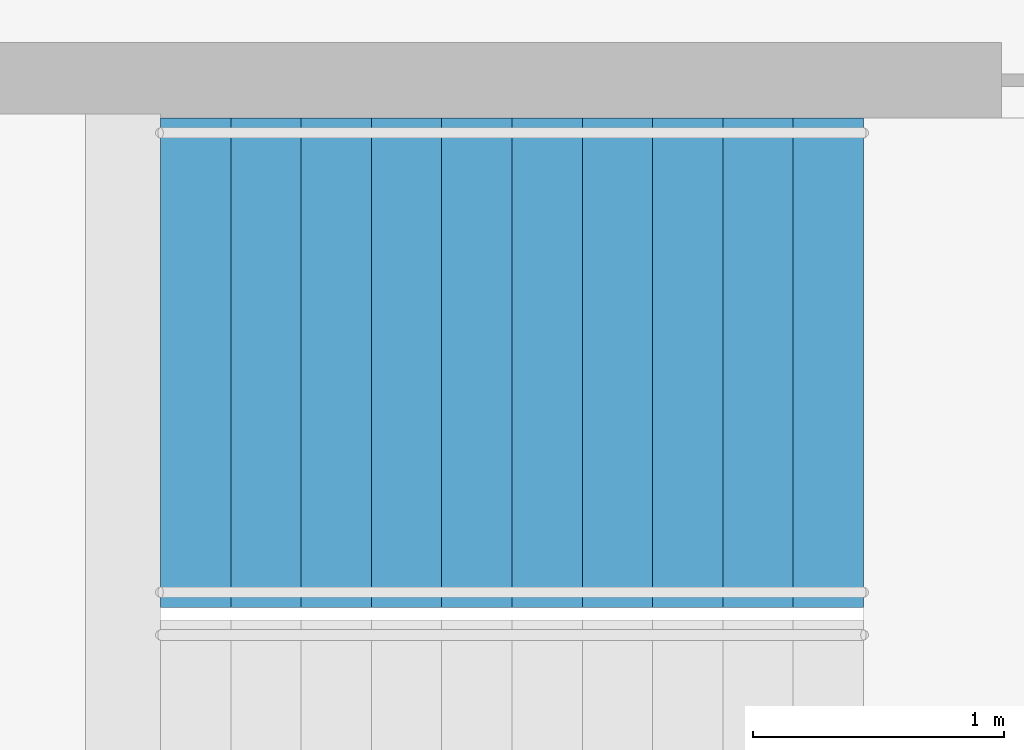
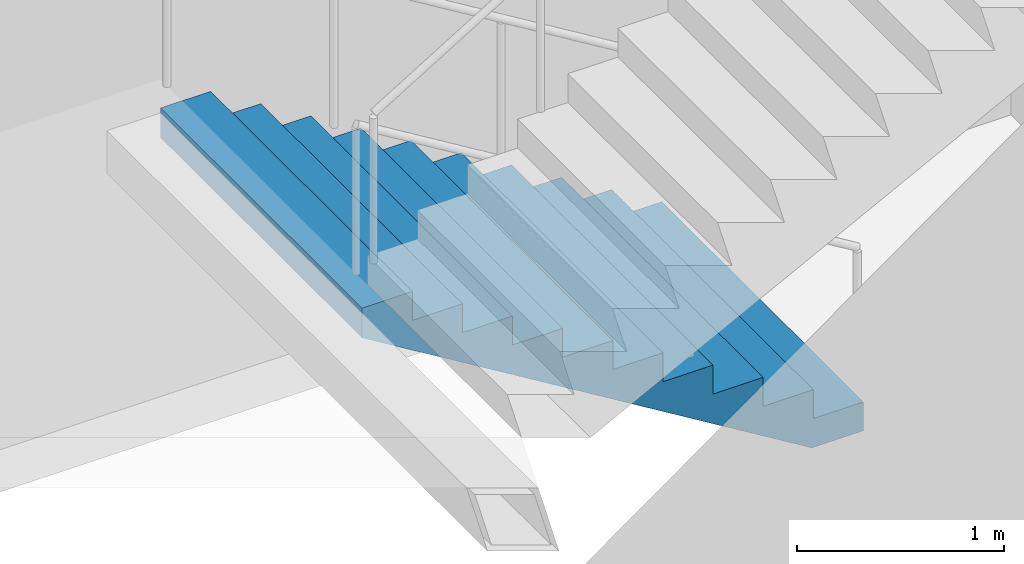
# One storey, part 23 of 24: 1 stair flight, 1 element without a shape of its own.
"""IFC4 building model written with IfcOpenShell, lengths in metres."""

from ifc_helpers import new_model, si_unit, direction, frame, origin, place, context, subcontext, project, spatial, triangles, material, type_object, element, aggregate, save


model = new_model("IFC4")

# Units and contexts
model_context = context("Model", 3, precision=1e-05, world=origin(), true_north=direction((0.0, 1.0)))
body_context = subcontext(model_context, "Body", "Model", "MODEL_VIEW")
ifc_project = project(units=[si_unit("LENGTHUNIT", "METRE"), si_unit("AREAUNIT", "SQUARE_METRE"), si_unit("VOLUMEUNIT", "CUBIC_METRE"), si_unit("PLANEANGLEUNIT", "RADIAN"), si_unit("MASSUNIT", "GRAM", prefix="KILO")], contexts=[model_context])

# Site, building, storey
site_placement = place(None, origin())
site = spatial("IfcSite", under=ifc_project, at=site_placement, CompositionType="ELEMENT")
building_placement = place(site_placement, origin())
building = spatial("IfcBuilding", under=site, at=building_placement, Name="Orbita Commons", CompositionType="ELEMENT")
storey_placement = place(building_placement, frame((0.0, 0.0, 35.199951171875)))
storey = spatial("IfcBuildingStorey", under=building, at=storey_placement, Name="L08", CompositionType="ELEMENT", Elevation=35.199951171875)

# Stair, stair flight
ifc_material_1 = material(Name="Precast concrete C40/50", Category="concrete")
stair_type = type_object("IfcStairType", Name="Exit stair S2 2 flights 11 risers 170", PredefinedType="HALF_TURN_STAIR", material=ifc_material_1)
stair_placement = place(storey_placement, origin())
stair = element("IfcStair", 1, at=stair_placement, inside=storey, type_object=stair_type, Name="Exit stair S2 L08", PredefinedType="HALF_TURN_STAIR")
ifc_material_2 = material(Name="Precast concrete C40/50", Category="concrete")
stair_flight_type = type_object("IfcStairFlightType", Name="Stair flight 11 risers 170 x 280", PredefinedType="STRAIGHT", material=ifc_material_2)
stair_flight_placement = place(storey_placement, frame((63.550048828125, 29.27490234375, 0.0), z_axis=(0.0, 0.0, 1.0), x_axis=(-1.0, 0.0, 0.0)))
stair_flight = element("IfcStairFlight", 2, at=stair_flight_placement, type_object=stair_flight_type, Name="S2 flight 1", NumberOfRisers=11, NumberOfTreads=10, PredefinedType="STRAIGHT", RiserHeight=0.170454545, TreadLength=0.28, context=body_context, shape_type="Tessellation", body=[
    triangles([(0.0, 0.974976, 0.0), (0.0, 0.974976, 0.021307), (0.0, 0.81248, 0.021307), (0.0, 0.81248, 0.0), (0.0, 0.649984, 0.021307), (0.0, 0.649984, 0.0), (0.0, 0.487488, 0.021307), (0.0, 0.487488, 0.0), (0.0, 0.324992, 0.021307), (0.0, 0.324992, 0.0), (0.0, 0.162496, 0.021307), (0.0, 0.162496, 0.0), (0.0, 0.0, 0.021307), (0.0, 0.0, 0.0), (0.0, -0.162496, 0.021307), (0.0, -0.162496, 0.0), (0.0, -0.324992, 0.021307), (0.0, -0.324992, 0.0), (0.0, -0.487488, 0.021307), (0.0, -0.487488, 0.0), (0.0, -0.649984, 0.021307), (0.0, -0.649984, 0.0), (0.0, -0.81248, 0.021307), (0.0, -0.81248, 0.0), (0.0, -0.974976, 0.021307), (0.0, -0.974976, 0.0), (0.0, 0.974976, 0.042614), (0.0, 0.81248, 0.042614), (0.0, 0.649984, 0.042614), (0.0, 0.487488, 0.042614), (0.0, 0.324992, 0.042614), (0.0, 0.162496, 0.042614), (0.0, 0.0, 0.042614), (0.0, -0.162496, 0.042614), (0.0, -0.324992, 0.042614), (0.0, -0.487488, 0.042614), (0.0, -0.649984, 0.042614), (0.0, -0.81248, 0.042614), (0.0, -0.974976, 0.042614), (0.0, 0.974976, 0.06392), (0.0, 0.81248, 0.06392), (0.0, 0.649984, 0.06392), (0.0, 0.487488, 0.06392), (0.0, 0.324992, 0.06392), (0.0, 0.162496, 0.06392), (0.0, 0.0, 0.06392), (0.0, -0.162496, 0.06392), (0.0, -0.324992, 0.06392), (0.0, -0.487488, 0.06392), (0.0, -0.649984, 0.06392), (0.0, -0.81248, 0.06392), (0.0, -0.974976, 0.06392), (0.0, 0.974976, 0.085227), (0.0, 0.81248, 0.085227), (0.0, 0.649984, 0.085227), (0.0, 0.487488, 0.085227), (0.0, 0.324992, 0.085227), (0.0, 0.162496, 0.085227), (0.0, 0.0, 0.085227), (0.0, -0.162496, 0.085227), (0.0, -0.324992, 0.085227), (0.0, -0.487488, 0.085227), (0.0, -0.649984, 0.085227), (0.0, -0.81248, 0.085227), (0.0, -0.974976, 0.085227), (0.0, 0.974976, 0.106534), (0.0, 0.81248, 0.106534), (0.0, 0.649984, 0.106534), (0.0, 0.487488, 0.106534), (0.0, 0.324992, 0.106534), (0.0, 0.162496, 0.106534), (0.0, 0.0, 0.106534), (0.0, -0.162496, 0.106534), (0.0, -0.324992, 0.106534), (0.0, -0.487488, 0.106534), (0.0, -0.649984, 0.106534), (0.0, -0.81248, 0.106534), (0.0, -0.974976, 0.106534), (0.0, 0.974976, 0.127841), (0.0, 0.81248, 0.127841), (0.0, 0.649984, 0.127841), (0.0, 0.487488, 0.127841), (0.0, 0.324992, 0.127841), (0.0, 0.162496, 0.127841), (0.0, 0.0, 0.127841), (0.0, -0.162496, 0.127841), (0.0, -0.324992, 0.127841), (0.0, -0.487488, 0.127841), (0.0, -0.649984, 0.127841), (0.0, -0.81248, 0.127841), (0.0, -0.974976, 0.127841), (0.0, 0.974976, 0.149148), (0.0, 0.81248, 0.149148), (0.0, 0.649984, 0.149148), (0.0, 0.487488, 0.149148), (0.0, 0.324992, 0.149148), (0.0, 0.162496, 0.149148), (0.0, 0.0, 0.149148), (0.0, -0.162496, 0.149148), (0.0, -0.324992, 0.149148), (0.0, -0.487488, 0.149148), (0.0, -0.649984, 0.149148), (0.0, -0.81248, 0.149148), (0.0, -0.974976, 0.149148), (0.0, 0.974976, 0.170455), (0.0, 0.81248, 0.170455), (0.0, 0.649984, 0.170455), (0.0, 0.487488, 0.170455), (0.0, 0.324992, 0.170455), (0.0, 0.162496, 0.170455), (0.0, 0.0, 0.170455), (0.0, -0.162496, 0.170455), (0.0, -0.324992, 0.170455), (0.0, -0.487488, 0.170455), (0.0, -0.649984, 0.170455), (0.0, -0.81248, 0.170455), (0.0, -0.974976, 0.170455), (0.28, 0.974976, 0.170455), (0.28, 0.81248, 0.170455), (0.28, 0.649984, 0.170455), (0.28, 0.487488, 0.170455), (0.28, 0.324992, 0.170455), (0.28, 0.162496, 0.170455), (0.28, 0.0, 0.170455), (0.28, -0.162496, 0.170455), (0.28, -0.324992, 0.170455), (0.28, -0.487488, 0.170455), (0.28, -0.649984, 0.170455), (0.28, -0.81248, 0.170455), (0.28, -0.974976, 0.170455), (0.28, 0.974976, 0.340909), (0.28, 0.81248, 0.340909), (0.28, 0.649984, 0.340909), (0.28, 0.487488, 0.340909), (0.28, 0.324992, 0.340909), (0.28, 0.162496, 0.340909), (0.28, 0.0, 0.340909), (0.28, -0.162496, 0.340909), (0.28, -0.324992, 0.340909), (0.28, -0.487488, 0.340909), (0.28, -0.649984, 0.340909), (0.28, -0.81248, 0.340909), (0.28, -0.974976, 0.340909), (0.56, 0.974976, 0.340909), (0.56, 0.81248, 0.340909), (0.56, 0.649984, 0.340909), (0.56, 0.487488, 0.340909), (0.56, 0.324992, 0.340909), (0.56, 0.162496, 0.340909), (0.56, 0.0, 0.340909), (0.56, -0.162496, 0.340909), (0.56, -0.324992, 0.340909), (0.56, -0.487488, 0.340909), (0.56, -0.649984, 0.340909), (0.56, -0.81248, 0.340909), (0.56, -0.974976, 0.340909), (0.56, 0.974976, 0.511364), (0.56, 0.81248, 0.511364), (0.56, 0.649984, 0.511364), (0.56, 0.487488, 0.511364), (0.56, 0.324992, 0.511364), (0.56, 0.162496, 0.511364), (0.56, 0.0, 0.511364), (0.56, -0.162496, 0.511364), (0.56, -0.324992, 0.511364), (0.56, -0.487488, 0.511364), (0.56, -0.649984, 0.511364), (0.56, -0.81248, 0.511364), (0.56, -0.974976, 0.511364), (0.84, 0.974976, 0.511364), (0.84, 0.81248, 0.511364), (0.84, 0.649984, 0.511364), (0.84, 0.487488, 0.511364), (0.84, 0.324992, 0.511364), (0.84, 0.162496, 0.511364), (0.84, 0.0, 0.511364), (0.84, -0.162496, 0.511364), (0.84, -0.324992, 0.511364), (0.84, -0.487488, 0.511364), (0.84, -0.649984, 0.511364), (0.84, -0.81248, 0.511364), (0.84, -0.974976, 0.511364), (0.84, 0.974976, 0.681818), (0.84, 0.81248, 0.681818), (0.84, 0.649984, 0.681818), (0.84, 0.487488, 0.681818), (0.84, 0.324992, 0.681818), (0.84, 0.162496, 0.681818), (0.84, 0.0, 0.681818), (0.84, -0.162496, 0.681818), (0.84, -0.324992, 0.681818), (0.84, -0.487488, 0.681818), (0.84, -0.649984, 0.681818), (0.84, -0.81248, 0.681818), (0.84, -0.974976, 0.681818), (1.12, 0.974976, 0.681818), (1.12, 0.81248, 0.681818), (1.12, 0.649984, 0.681818), (1.12, 0.487488, 0.681818), (1.12, 0.324992, 0.681818), (1.12, 0.162496, 0.681818), (1.12, 0.0, 0.681818), (1.12, -0.162496, 0.681818), (1.12, -0.324992, 0.681818), (1.12, -0.487488, 0.681818), (1.12, -0.649984, 0.681818), (1.12, -0.81248, 0.681818), (1.12, -0.974976, 0.681818), (1.12, 0.974976, 0.852273), (1.12, 0.81248, 0.852273), (1.12, 0.649984, 0.852273), (1.12, 0.487488, 0.852273), (1.12, 0.324992, 0.852273), (1.12, 0.162496, 0.852273), (1.12, 0.0, 0.852273), (1.12, -0.162496, 0.852273), (1.12, -0.324992, 0.852273), (1.12, -0.487488, 0.852273), (1.12, -0.649984, 0.852273), (1.12, -0.81248, 0.852273), (1.12, -0.974976, 0.852273), (1.4, 0.974976, 0.852273), (1.4, 0.81248, 0.852273), (1.4, 0.649984, 0.852273), (1.4, 0.487488, 0.852273), (1.4, 0.324992, 0.852273), (1.4, 0.162496, 0.852273), (1.4, 0.0, 0.852273), (1.4, -0.162496, 0.852273), (1.4, -0.324992, 0.852273), (1.4, -0.487488, 0.852273), (1.4, -0.649984, 0.852273), (1.4, -0.81248, 0.852273), (1.4, -0.974976, 0.852273), (1.4, 0.974976, 1.022727), (1.4, 0.81248, 1.022727), (1.4, 0.649984, 1.022727), (1.4, 0.487488, 1.022727), (1.4, 0.324992, 1.022727), (1.4, 0.162496, 1.022727), (1.4, 0.0, 1.022727), (1.4, -0.162496, 1.022727), (1.4, -0.324992, 1.022727), (1.4, -0.487488, 1.022727), (1.4, -0.649984, 1.022727), (1.4, -0.81248, 1.022727), (1.4, -0.974976, 1.022727), (1.68, 0.974976, 1.022727), (1.68, 0.81248, 1.022727), (1.68, 0.649984, 1.022727), (1.68, 0.487488, 1.022727), (1.68, 0.324992, 1.022727), (1.68, 0.162496, 1.022727), (1.68, 0.0, 1.022727), (1.68, -0.162496, 1.022727), (1.68, -0.324992, 1.022727), (1.68, -0.487488, 1.022727), (1.68, -0.649984, 1.022727), (1.68, -0.81248, 1.022727), (1.68, -0.974976, 1.022727), (1.68, 0.974976, 1.193182), (1.68, 0.81248, 1.193182), (1.68, 0.649984, 1.193182), (1.68, 0.487488, 1.193182), (1.68, 0.324992, 1.193182), (1.68, 0.162496, 1.193182), (1.68, 0.0, 1.193182), (1.68, -0.162496, 1.193182), (1.68, -0.324992, 1.193182), (1.68, -0.487488, 1.193182), (1.68, -0.649984, 1.193182), (1.68, -0.81248, 1.193182), (1.68, -0.974976, 1.193182), (1.96, 0.974976, 1.193182), (1.96, 0.81248, 1.193182), (1.96, 0.649984, 1.193182), (1.96, 0.487488, 1.193182), (1.96, 0.324992, 1.193182), (1.96, 0.162496, 1.193182), (1.96, 0.0, 1.193182), (1.96, -0.162496, 1.193182), (1.96, -0.324992, 1.193182), (1.96, -0.487488, 1.193182), (1.96, -0.649984, 1.193182), (1.96, -0.81248, 1.193182), (1.96, -0.974976, 1.193182), (1.96, 0.974976, 1.363636), (1.96, 0.81248, 1.363636), (1.96, 0.649984, 1.363636), (1.96, 0.487488, 1.363636), (1.96, 0.324992, 1.363636), (1.96, 0.162496, 1.363636), (1.96, 0.0, 1.363636), (1.96, -0.162496, 1.363636), (1.96, -0.324992, 1.363636), (1.96, -0.487488, 1.363636), (1.96, -0.649984, 1.363636), (1.96, -0.81248, 1.363636), (1.96, -0.974976, 1.363636), (2.24, 0.974976, 1.363636), (2.24, 0.81248, 1.363636), (2.24, 0.649984, 1.363636), (2.24, 0.487488, 1.363636), (2.24, 0.324992, 1.363636), (2.24, 0.162496, 1.363636), (2.24, 0.0, 1.363636), (2.24, -0.162496, 1.363636), (2.24, -0.324992, 1.363636), (2.24, -0.487488, 1.363636), (2.24, -0.649984, 1.363636), (2.24, -0.81248, 1.363636), (2.24, -0.974976, 1.363636), (2.24, 0.974976, 1.534091), (2.24, 0.81248, 1.534091), (2.24, 0.649984, 1.534091), (2.24, 0.487488, 1.534091), (2.24, 0.324992, 1.534091), (2.24, 0.162496, 1.534091), (2.24, 0.0, 1.534091), (2.24, -0.162496, 1.534091), (2.24, -0.324992, 1.534091), (2.24, -0.487488, 1.534091), (2.24, -0.649984, 1.534091), (2.24, -0.81248, 1.534091), (2.24, -0.974976, 1.534091), (2.52, 0.974976, 1.534091), (2.52, 0.81248, 1.534091), (2.52, 0.649984, 1.534091), (2.52, 0.487488, 1.534091), (2.52, 0.324992, 1.534091), (2.52, 0.162496, 1.534091), (2.52, 0.0, 1.534091), (2.52, -0.162496, 1.534091), (2.52, -0.324992, 1.534091), (2.52, -0.487488, 1.534091), (2.52, -0.649984, 1.534091), (2.52, -0.81248, 1.534091), (2.52, -0.974976, 1.534091), (2.52, 0.974976, 1.704545), (2.52, 0.81248, 1.704545), (2.52, 0.649984, 1.704545), (2.52, 0.487488, 1.704545), (2.52, 0.324992, 1.704545), (2.52, 0.162496, 1.704545), (2.52, 0.0, 1.704545), (2.52, -0.162496, 1.704545), (2.52, -0.324992, 1.704545), (2.52, -0.487488, 1.704545), (2.52, -0.649984, 1.704545), (2.52, -0.81248, 1.704545), (2.52, -0.974976, 1.704545), (2.8, 0.974976, 1.704545), (2.8, 0.81248, 1.704545), (2.8, 0.649984, 1.704545), (2.8, 0.487488, 1.704545), (2.8, 0.324992, 1.704545), (2.8, 0.162496, 1.704545), (2.8, 0.0, 1.704545), (2.8, -0.162496, 1.704545), (2.8, -0.324992, 1.704545), (2.8, -0.487488, 1.704545), (2.8, -0.649984, 1.704545), (2.8, -0.81248, 1.704545), (2.8, -0.974976, 1.704545), (2.8, 0.974976, 1.682609), (2.8, 0.81248, 1.682609), (2.8, 0.649984, 1.682609), (2.8, 0.487488, 1.682609), (2.8, 0.324992, 1.682609), (2.8, 0.162496, 1.682609), (2.8, 0.0, 1.682609), (2.8, -0.162496, 1.682609), (2.8, -0.324992, 1.682609), (2.8, -0.487488, 1.682609), (2.8, -0.649984, 1.682609), (2.8, -0.81248, 1.682609), (2.8, -0.974976, 1.682609), (2.8, 0.974976, 1.660672), (2.8, 0.81248, 1.660672), (2.8, 0.649984, 1.660672), (2.8, 0.487488, 1.660672), (2.8, 0.324992, 1.660672), (2.8, 0.162496, 1.660672), (2.8, 0.0, 1.660672), (2.8, -0.162496, 1.660672), (2.8, -0.324992, 1.660672), (2.8, -0.487488, 1.660672), (2.8, -0.649984, 1.660672), (2.8, -0.81248, 1.660672), (2.8, -0.974976, 1.660672), (2.8, 0.974976, 1.638735), (2.8, 0.81248, 1.638735), (2.8, 0.649984, 1.638735), (2.8, 0.487488, 1.638735), (2.8, 0.324992, 1.638735), (2.8, 0.162496, 1.638735), (2.8, 0.0, 1.638735), (2.8, -0.162496, 1.638735), (2.8, -0.324992, 1.638735), (2.8, -0.487488, 1.638735), (2.8, -0.649984, 1.638735), (2.8, -0.81248, 1.638735), (2.8, -0.974976, 1.638735), (2.8, 0.974976, 1.616798), (2.8, 0.81248, 1.616798), (2.8, 0.649984, 1.616798), (2.8, 0.487488, 1.616798), (2.8, 0.324992, 1.616798), (2.8, 0.162496, 1.616798), (2.8, 0.0, 1.616798), (2.8, -0.162496, 1.616798), (2.8, -0.324992, 1.616798), (2.8, -0.487488, 1.616798), (2.8, -0.649984, 1.616798), (2.8, -0.81248, 1.616798), (2.8, -0.974976, 1.616798), (2.8, 0.974976, 1.594861), (2.8, 0.81248, 1.594861), (2.8, 0.649984, 1.594861), (2.8, 0.487488, 1.594861), (2.8, 0.324992, 1.594861), (2.8, 0.162496, 1.594861), (2.8, 0.0, 1.594861), (2.8, -0.162496, 1.594861), (2.8, -0.324992, 1.594861), (2.8, -0.487488, 1.594861), (2.8, -0.649984, 1.594861), (2.8, -0.81248, 1.594861), (2.8, -0.974976, 1.594861), (2.8, 0.974976, 1.572925), (2.8, 0.81248, 1.572925), (2.8, 0.649984, 1.572925), (2.8, 0.487488, 1.572925), (2.8, 0.324992, 1.572925), (2.8, 0.162496, 1.572925), (2.8, 0.0, 1.572925), (2.8, -0.162496, 1.572925), (2.8, -0.324992, 1.572925), (2.8, -0.487488, 1.572925), (2.8, -0.649984, 1.572925), (2.8, -0.81248, 1.572925), (2.8, -0.974976, 1.572925), (2.8, 0.974976, 1.550988), (2.8, 0.81248, 1.550988), (2.8, 0.649984, 1.550988), (2.8, 0.487488, 1.550988), (2.8, 0.324992, 1.550988), (2.8, 0.162496, 1.550988), (2.8, 0.0, 1.550988), (2.8, -0.162496, 1.550988), (2.8, -0.324992, 1.550988), (2.8, -0.487488, 1.550988), (2.8, -0.649984, 1.550988), (2.8, -0.81248, 1.550988), (2.8, -0.974976, 1.550988), (2.8, 0.974976, 1.529051), (2.8, 0.81248, 1.529051), (2.8, 0.649984, 1.529051), (2.8, 0.487488, 1.529051), (2.8, 0.324992, 1.529051), (2.8, 0.162496, 1.529051), (2.8, 0.0, 1.529051), (2.8, -0.162496, 1.529051), (2.8, -0.324992, 1.529051), (2.8, -0.487488, 1.529051), (2.8, -0.649984, 1.529051), (2.8, -0.81248, 1.529051), (2.8, -0.974976, 1.529051), (0.288279, 0.974976, 0.0), (0.288279, 0.81248, 0.0), (0.288279, 0.649984, 0.0), (0.288279, 0.487488, 0.0), (0.288279, 0.324992, 0.0), (0.288279, 0.162496, 0.0), (0.288279, 0.0, 0.0), (0.288279, -0.162496, 0.0), (0.288279, -0.324992, 0.0), (0.288279, -0.487488, 0.0), (0.288279, -0.649984, 0.0), (0.288279, -0.81248, 0.0), (0.288279, -0.974976, 0.0)], [[3, 2, 1], [4, 3, 1], [5, 3, 4], [6, 5, 4], [7, 5, 6], [8, 7, 6], [9, 7, 8], [10, 9, 8], [11, 9, 10], [12, 11, 10], [13, 11, 12], [14, 13, 12], [15, 13, 14], [16, 15, 14], [17, 15, 16], [18, 17, 16], [19, 17, 18], [20, 19, 18], [21, 19, 20], [22, 21, 20], [23, 21, 22], [24, 23, 22], [25, 23, 24], [26, 25, 24], [28, 27, 2], [3, 28, 2], [29, 28, 3], [5, 29, 3], [30, 29, 5], [7, 30, 5], [31, 30, 7], [9, 31, 7], [32, 31, 9], [11, 32, 9], [33, 32, 11], [13, 33, 11], [34, 33, 13], [15, 34, 13], [35, 34, 15], [17, 35, 15], [36, 35, 17], [19, 36, 17], [37, 36, 19], [21, 37, 19], [38, 37, 21], [23, 38, 21], [39, 38, 23], [25, 39, 23], [41, 40, 27], [28, 41, 27], [42, 41, 28], [29, 42, 28], [43, 42, 29], [30, 43, 29], [44, 43, 30], [31, 44, 30], [45, 44, 31], [32, 45, 31], [46, 45, 32], [33, 46, 32], [47, 46, 33], [34, 47, 33], [48, 47, 34], [35, 48, 34], [49, 48, 35], [36, 49, 35], [50, 49, 36], [37, 50, 36], [51, 50, 37], [38, 51, 37], [52, 51, 38], [39, 52, 38], [54, 53, 40], [41, 54, 40], [55, 54, 41], [42, 55, 41], [56, 55, 42], [43, 56, 42], [57, 56, 43], [44, 57, 43], [58, 57, 44], [45, 58, 44], [59, 58, 45], [46, 59, 45], [60, 59, 46], [47, 60, 46], [61, 60, 47], [48, 61, 47], [62, 61, 48], [49, 62, 48], [63, 62, 49], [50, 63, 49], [64, 63, 50], [51, 64, 50], [65, 64, 51], [52, 65, 51], [67, 66, 53], [54, 67, 53], [68, 67, 54], [55, 68, 54], [69, 68, 55], [56, 69, 55], [70, 69, 56], [57, 70, 56], [71, 70, 57], [58, 71, 57], [72, 71, 58], [59, 72, 58], [73, 72, 59], [60, 73, 59], [74, 73, 60], [61, 74, 60], [75, 74, 61], [62, 75, 61], [76, 75, 62], [63, 76, 62], [77, 76, 63], [64, 77, 63], [78, 77, 64], [65, 78, 64], [80, 79, 66], [67, 80, 66], [81, 80, 67], [68, 81, 67], [82, 81, 68], [69, 82, 68], [83, 82, 69], [70, 83, 69], [84, 83, 70], [71, 84, 70], [85, 84, 71], [72, 85, 71], [86, 85, 72], [73, 86, 72], [87, 86, 73], [74, 87, 73], [88, 87, 74], [75, 88, 74], [89, 88, 75], [76, 89, 75], [90, 89, 76], [77, 90, 76], [91, 90, 77], [78, 91, 77], [93, 92, 79], [80, 93, 79], [94, 93, 80], [81, 94, 80], [95, 94, 81], [82, 95, 81], [96, 95, 82], [83, 96, 82], [97, 96, 83], [84, 97, 83], [98, 97, 84], [85, 98, 84], [99, 98, 85], [86, 99, 85], [100, 99, 86], [87, 100, 86], [101, 100, 87], [88, 101, 87], [102, 101, 88], [89, 102, 88], [103, 102, 89], [90, 103, 89], [104, 103, 90], [91, 104, 90], [106, 105, 92], [93, 106, 92], [107, 106, 93], [94, 107, 93], [108, 107, 94], [95, 108, 94], [109, 108, 95], [96, 109, 95], [110, 109, 96], [97, 110, 96], [111, 110, 97], [98, 111, 97], [112, 111, 98], [99, 112, 98], [113, 112, 99], [100, 113, 99], [114, 113, 100], [101, 114, 100], [115, 114, 101], [102, 115, 101], [116, 115, 102], [103, 116, 102], [117, 116, 103], [104, 117, 103], [119, 118, 105], [106, 119, 105], [120, 119, 106], [107, 120, 106], [121, 120, 107], [108, 121, 107], [122, 121, 108], [109, 122, 108], [123, 122, 109], [110, 123, 109], [124, 123, 110], [111, 124, 110], [125, 124, 111], [112, 125, 111], [126, 125, 112], [113, 126, 112], [127, 126, 113], [114, 127, 113], [128, 127, 114], [115, 128, 114], [129, 128, 115], [116, 129, 115], [130, 129, 116], [117, 130, 116], [132, 131, 118], [119, 132, 118], [133, 132, 119], [120, 133, 119], [134, 133, 120], [121, 134, 120], [135, 134, 121], [122, 135, 121], [136, 135, 122], [123, 136, 122], [137, 136, 123], [124, 137, 123], [138, 137, 124], [125, 138, 124], [139, 138, 125], [126, 139, 125], [140, 139, 126], [127, 140, 126], [141, 140, 127], [128, 141, 127], [142, 141, 128], [129, 142, 128], [143, 142, 129], [130, 143, 129], [145, 144, 131], [132, 145, 131], [146, 145, 132], [133, 146, 132], [147, 146, 133], [134, 147, 133], [148, 147, 134], [135, 148, 134], [149, 148, 135], [136, 149, 135], [150, 149, 136], [137, 150, 136], [151, 150, 137], [138, 151, 137], [152, 151, 138], [139, 152, 138], [153, 152, 139], [140, 153, 139], [154, 153, 140], [141, 154, 140], [155, 154, 141], [142, 155, 141], [156, 155, 142], [143, 156, 142], [158, 157, 144], [145, 158, 144], [159, 158, 145], [146, 159, 145], [160, 159, 146], [147, 160, 146], [161, 160, 147], [148, 161, 147], [162, 161, 148], [149, 162, 148], [163, 162, 149], [150, 163, 149], [164, 163, 150], [151, 164, 150], [165, 164, 151], [152, 165, 151], [166, 165, 152], [153, 166, 152], [167, 166, 153], [154, 167, 153], [168, 167, 154], [155, 168, 154], [169, 168, 155], [156, 169, 155], [171, 170, 157], [158, 171, 157], [172, 171, 158], [159, 172, 158], [173, 172, 159], [160, 173, 159], [174, 173, 160], [161, 174, 160], [175, 174, 161], [162, 175, 161], [176, 175, 162], [163, 176, 162], [177, 176, 163], [164, 177, 163], [178, 177, 164], [165, 178, 164], [179, 178, 165], [166, 179, 165], [180, 179, 166], [167, 180, 166], [181, 180, 167], [168, 181, 167], [182, 181, 168], [169, 182, 168], [184, 183, 170], [171, 184, 170], [185, 184, 171], [172, 185, 171], [186, 185, 172], [173, 186, 172], [187, 186, 173], [174, 187, 173], [188, 187, 174], [175, 188, 174], [189, 188, 175], [176, 189, 175], [190, 189, 176], [177, 190, 176], [191, 190, 177], [178, 191, 177], [192, 191, 178], [179, 192, 178], [193, 192, 179], [180, 193, 179], [194, 193, 180], [181, 194, 180], [195, 194, 181], [182, 195, 181], [197, 196, 183], [184, 197, 183], [198, 197, 184], [185, 198, 184], [199, 198, 185], [186, 199, 185], [200, 199, 186], [187, 200, 186], [201, 200, 187], [188, 201, 187], [202, 201, 188], [189, 202, 188], [203, 202, 189], [190, 203, 189], [204, 203, 190], [191, 204, 190], [205, 204, 191], [192, 205, 191], [206, 205, 192], [193, 206, 192], [207, 206, 193], [194, 207, 193], [208, 207, 194], [195, 208, 194], [210, 209, 196], [197, 210, 196], [211, 210, 197], [198, 211, 197], [212, 211, 198], [199, 212, 198], [213, 212, 199], [200, 213, 199], [214, 213, 200], [201, 214, 200], [215, 214, 201], [202, 215, 201], [216, 215, 202], [203, 216, 202], [217, 216, 203], [204, 217, 203], [218, 217, 204], [205, 218, 204], [219, 218, 205], [206, 219, 205], [220, 219, 206], [207, 220, 206], [221, 220, 207], [208, 221, 207], [223, 222, 209], [210, 223, 209], [224, 223, 210], [211, 224, 210], [225, 224, 211], [212, 225, 211], [226, 225, 212], [213, 226, 212], [227, 226, 213], [214, 227, 213], [228, 227, 214], [215, 228, 214], [229, 228, 215], [216, 229, 215], [230, 229, 216], [217, 230, 216], [231, 230, 217], [218, 231, 217], [232, 231, 218], [219, 232, 218], [233, 232, 219], [220, 233, 219], [234, 233, 220], [221, 234, 220], [236, 235, 222], [223, 236, 222], [237, 236, 223], [224, 237, 223], [238, 237, 224], [225, 238, 224], [239, 238, 225], [226, 239, 225], [240, 239, 226], [227, 240, 226], [241, 240, 227], [228, 241, 227], [242, 241, 228], [229, 242, 228], [243, 242, 229], [230, 243, 229], [244, 243, 230], [231, 244, 230], [245, 244, 231], [232, 245, 231], [246, 245, 232], [233, 246, 232], [247, 246, 233], [234, 247, 233], [249, 248, 235], [236, 249, 235], [250, 249, 236], [237, 250, 236], [251, 250, 237], [238, 251, 237], [252, 251, 238], [239, 252, 238], [253, 252, 239], [240, 253, 239], [254, 253, 240], [241, 254, 240], [255, 254, 241], [242, 255, 241], [256, 255, 242], [243, 256, 242], [257, 256, 243], [244, 257, 243], [258, 257, 244], [245, 258, 244], [259, 258, 245], [246, 259, 245], [260, 259, 246], [247, 260, 246], [262, 261, 248], [249, 262, 248], [263, 262, 249], [250, 263, 249], [264, 263, 250], [251, 264, 250], [265, 264, 251], [252, 265, 251], [266, 265, 252], [253, 266, 252], [267, 266, 253], [254, 267, 253], [268, 267, 254], [255, 268, 254], [269, 268, 255], [256, 269, 255], [270, 269, 256], [257, 270, 256], [271, 270, 257], [258, 271, 257], [272, 271, 258], [259, 272, 258], [273, 272, 259], [260, 273, 259], [275, 274, 261], [262, 275, 261], [276, 275, 262], [263, 276, 262], [277, 276, 263], [264, 277, 263], [278, 277, 264], [265, 278, 264], [279, 278, 265], [266, 279, 265], [280, 279, 266], [267, 280, 266], [281, 280, 267], [268, 281, 267], [282, 281, 268], [269, 282, 268], [283, 282, 269], [270, 283, 269], [284, 283, 270], [271, 284, 270], [285, 284, 271], [272, 285, 271], [286, 285, 272], [273, 286, 272], [288, 287, 274], [275, 288, 274], [289, 288, 275], [276, 289, 275], [290, 289, 276], [277, 290, 276], [291, 290, 277], [278, 291, 277], [292, 291, 278], [279, 292, 278], [293, 292, 279], [280, 293, 279], [294, 293, 280], [281, 294, 280], [295, 294, 281], [282, 295, 281], [296, 295, 282], [283, 296, 282], [297, 296, 283], [284, 297, 283], [298, 297, 284], [285, 298, 284], [299, 298, 285], [286, 299, 285], [301, 300, 287], [288, 301, 287], [302, 301, 288], [289, 302, 288], [303, 302, 289], [290, 303, 289], [304, 303, 290], [291, 304, 290], [305, 304, 291], [292, 305, 291], [306, 305, 292], [293, 306, 292], [307, 306, 293], [294, 307, 293], [308, 307, 294], [295, 308, 294], [309, 308, 295], [296, 309, 295], [310, 309, 296], [297, 310, 296], [311, 310, 297], [298, 311, 297], [312, 311, 298], [299, 312, 298], [314, 313, 300], [301, 314, 300], [315, 314, 301], [302, 315, 301], [316, 315, 302], [303, 316, 302], [317, 316, 303], [304, 317, 303], [318, 317, 304], [305, 318, 304], [319, 318, 305], [306, 319, 305], [320, 319, 306], [307, 320, 306], [321, 320, 307], [308, 321, 307], [322, 321, 308], [309, 322, 308], [323, 322, 309], [310, 323, 309], [324, 323, 310], [311, 324, 310], [325, 324, 311], [312, 325, 311], [327, 326, 313], [314, 327, 313], [328, 327, 314], [315, 328, 314], [329, 328, 315], [316, 329, 315], [330, 329, 316], [317, 330, 316], [331, 330, 317], [318, 331, 317], [332, 331, 318], [319, 332, 318], [333, 332, 319], [320, 333, 319], [334, 333, 320], [321, 334, 320], [335, 334, 321], [322, 335, 321], [336, 335, 322], [323, 336, 322], [337, 336, 323], [324, 337, 323], [338, 337, 324], [325, 338, 324], [340, 339, 326], [327, 340, 326], [341, 340, 327], [328, 341, 327], [342, 341, 328], [329, 342, 328], [343, 342, 329], [330, 343, 329], [344, 343, 330], [331, 344, 330], [345, 344, 331], [332, 345, 331], [346, 345, 332], [333, 346, 332], [347, 346, 333], [334, 347, 333], [348, 347, 334], [335, 348, 334], [349, 348, 335], [336, 349, 335], [350, 349, 336], [337, 350, 336], [351, 350, 337], [338, 351, 337], [353, 352, 339], [340, 353, 339], [354, 353, 340], [341, 354, 340], [355, 354, 341], [342, 355, 341], [356, 355, 342], [343, 356, 342], [357, 356, 343], [344, 357, 343], [358, 357, 344], [345, 358, 344], [359, 358, 345], [346, 359, 345], [360, 359, 346], [347, 360, 346], [361, 360, 347], [348, 361, 347], [362, 361, 348], [349, 362, 348], [363, 362, 349], [350, 363, 349], [364, 363, 350], [351, 364, 350], [366, 365, 352], [353, 366, 352], [367, 366, 353], [354, 367, 353], [368, 367, 354], [355, 368, 354], [369, 368, 355], [356, 369, 355], [370, 369, 356], [357, 370, 356], [371, 370, 357], [358, 371, 357], [372, 371, 358], [359, 372, 358], [373, 372, 359], [360, 373, 359], [374, 373, 360], [361, 374, 360], [375, 374, 361], [362, 375, 361], [376, 375, 362], [363, 376, 362], [377, 376, 363], [364, 377, 363], [379, 378, 365], [366, 379, 365], [380, 379, 366], [367, 380, 366], [381, 380, 367], [368, 381, 367], [382, 381, 368], [369, 382, 368], [383, 382, 369], [370, 383, 369], [384, 383, 370], [371, 384, 370], [385, 384, 371], [372, 385, 371], [386, 385, 372], [373, 386, 372], [387, 386, 373], [374, 387, 373], [388, 387, 374], [375, 388, 374], [389, 388, 375], [376, 389, 375], [390, 389, 376], [377, 390, 376], [392, 391, 378], [379, 392, 378], [393, 392, 379], [380, 393, 379], [394, 393, 380], [381, 394, 380], [395, 394, 381], [382, 395, 381], [396, 395, 382], [383, 396, 382], [397, 396, 383], [384, 397, 383], [398, 397, 384], [385, 398, 384], [399, 398, 385], [386, 399, 385], [400, 399, 386], [387, 400, 386], [401, 400, 387], [388, 401, 387], [402, 401, 388], [389, 402, 388], [403, 402, 389], [390, 403, 389], [405, 404, 391], [392, 405, 391], [406, 405, 392], [393, 406, 392], [407, 406, 393], [394, 407, 393], [408, 407, 394], [395, 408, 394], [409, 408, 395], [396, 409, 395], [410, 409, 396], [397, 410, 396], [411, 410, 397], [398, 411, 397], [412, 411, 398], [399, 412, 398], [413, 412, 399], [400, 413, 399], [414, 413, 400], [401, 414, 400], [415, 414, 401], [402, 415, 401], [416, 415, 402], [403, 416, 402], [418, 417, 404], [405, 418, 404], [419, 418, 405], [406, 419, 405], [420, 419, 406], [407, 420, 406], [421, 420, 407], [408, 421, 407], [422, 421, 408], [409, 422, 408], [423, 422, 409], [410, 423, 409], [424, 423, 410], [411, 424, 410], [425, 424, 411], [412, 425, 411], [426, 425, 412], [413, 426, 412], [427, 426, 413], [414, 427, 413], [428, 427, 414], [415, 428, 414], [429, 428, 415], [416, 429, 415], [431, 430, 417], [418, 431, 417], [432, 431, 418], [419, 432, 418], [433, 432, 419], [420, 433, 419], [434, 433, 420], [421, 434, 420], [435, 434, 421], [422, 435, 421], [436, 435, 422], [423, 436, 422], [437, 436, 423], [424, 437, 423], [438, 437, 424], [425, 438, 424], [439, 438, 425], [426, 439, 425], [440, 439, 426], [427, 440, 426], [441, 440, 427], [428, 441, 427], [442, 441, 428], [429, 442, 428], [444, 443, 430], [431, 444, 430], [445, 444, 431], [432, 445, 431], [446, 445, 432], [433, 446, 432], [447, 446, 433], [434, 447, 433], [448, 447, 434], [435, 448, 434], [449, 448, 435], [436, 449, 435], [450, 449, 436], [437, 450, 436], [451, 450, 437], [438, 451, 437], [452, 451, 438], [439, 452, 438], [453, 452, 439], [440, 453, 439], [454, 453, 440], [441, 454, 440], [455, 454, 441], [442, 455, 441], [457, 456, 443], [444, 457, 443], [458, 457, 444], [445, 458, 444], [459, 458, 445], [446, 459, 445], [460, 459, 446], [447, 460, 446], [461, 460, 447], [448, 461, 447], [462, 461, 448], [449, 462, 448], [463, 462, 449], [450, 463, 449], [464, 463, 450], [451, 464, 450], [465, 464, 451], [452, 465, 451], [466, 465, 452], [453, 466, 452], [467, 466, 453], [454, 467, 453], [468, 467, 454], [455, 468, 454], [470, 469, 456], [457, 470, 456], [471, 470, 457], [458, 471, 457], [472, 471, 458], [459, 472, 458], [473, 472, 459], [460, 473, 459], [474, 473, 460], [461, 474, 460], [475, 474, 461], [462, 475, 461], [476, 475, 462], [463, 476, 462], [477, 476, 463], [464, 477, 463], [478, 477, 464], [465, 478, 464], [479, 478, 465], [466, 479, 465], [480, 479, 466], [467, 480, 466], [481, 480, 467], [468, 481, 467], [4, 1, 469], [470, 4, 469], [6, 4, 470], [471, 6, 470], [8, 6, 471], [472, 8, 471], [10, 8, 472], [473, 10, 472], [12, 10, 473], [474, 12, 473], [14, 12, 474], [475, 14, 474], [16, 14, 475], [476, 16, 475], [18, 16, 476], [477, 18, 476], [20, 18, 477], [478, 20, 477], [22, 20, 478], [479, 22, 478], [24, 22, 479], [480, 24, 479], [26, 24, 480], [481, 26, 480], [456, 469, 1], [26, 481, 468], [443, 456, 1], [26, 468, 455], [430, 443, 1], [26, 455, 442], [417, 430, 1], [26, 442, 429], [404, 417, 1], [26, 429, 416], [391, 404, 1], [26, 416, 403], [378, 391, 1], [26, 403, 390], [365, 378, 1], [26, 390, 377], [339, 352, 365], [377, 364, 351], [326, 339, 365], [377, 351, 338], [300, 313, 326], [338, 325, 312], [300, 326, 365], [377, 338, 312], [274, 287, 300], [312, 299, 286], [274, 300, 365], [377, 312, 286], [248, 261, 274], [286, 273, 260], [248, 274, 365], [377, 286, 260], [222, 235, 248], [260, 247, 234], [222, 248, 365], [377, 260, 234], [196, 209, 222], [234, 221, 208], [196, 222, 365], [377, 234, 208], [170, 183, 196], [208, 195, 182], [170, 196, 365], [377, 208, 182], [144, 157, 170], [182, 169, 156], [144, 170, 365], [377, 182, 156], [118, 131, 144], [156, 143, 130], [118, 144, 365], [377, 156, 130], [118, 365, 1], [26, 377, 130], [92, 105, 118], [130, 117, 104], [79, 92, 118], [130, 104, 91], [66, 79, 118], [130, 91, 78], [53, 66, 118], [130, 78, 65], [40, 53, 118], [130, 65, 52], [27, 40, 118], [130, 52, 39], [2, 27, 118], [130, 39, 25], [1, 2, 118], [130, 25, 26]], closed=True),
])
aggregate(stair, [stair_flight])

save(model, "model.ifc")
